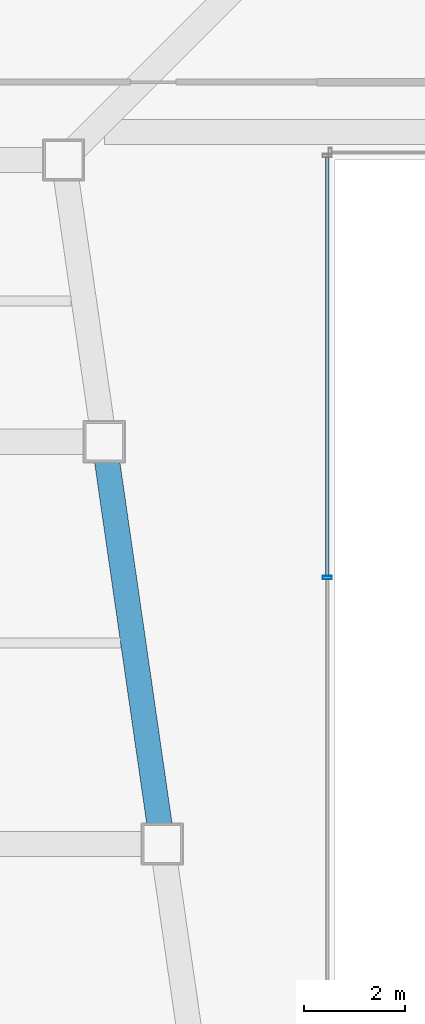
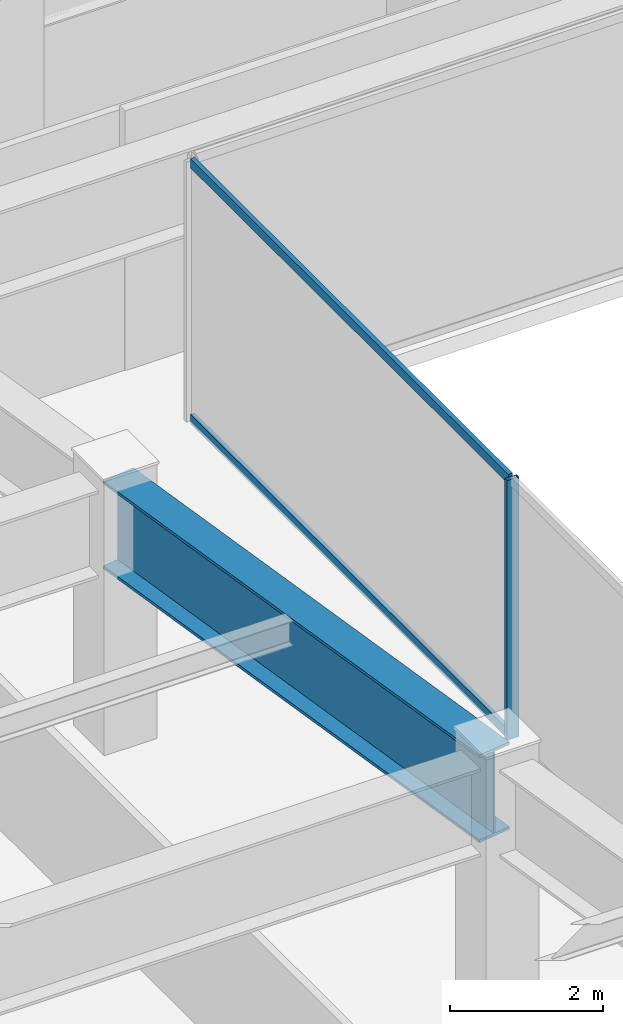
# One storey, part 14 of 40: 3 members, 1 beam, 1 element without a shape of its own.
"""IFC4 building model written with IfcOpenShell, lengths in metres."""

from ifc_helpers import new_model, si_unit, direction, frame, origin, origin_2d, place, context, subcontext, project, spatial, hollow_rectangle, i_section, extrude, material, material_profile, profile_set, type_object, element, aggregate, save


model = new_model("IFC4")

# Units and contexts
model_context = context("Model", 3, precision=1e-05, world=origin(), true_north=direction((0.0, 1.0)))
body_context = subcontext(model_context, "Body", "Model", "MODEL_VIEW")
ifc_project = project(units=[si_unit("LENGTHUNIT", "METRE"), si_unit("AREAUNIT", "SQUARE_METRE"), si_unit("VOLUMEUNIT", "CUBIC_METRE"), si_unit("PLANEANGLEUNIT", "RADIAN"), si_unit("MASSUNIT", "GRAM", prefix="KILO")], contexts=[model_context])

# Site, building, storey
site_placement = place(None, origin())
site = spatial("IfcSite", under=ifc_project, at=site_placement, CompositionType="ELEMENT")
building_placement = place(site_placement, origin())
building = spatial("IfcBuilding", under=site, at=building_placement, Name="Saevonmaru Cultural Tower", CompositionType="ELEMENT")
storey_placement = place(building_placement, frame((0.0, 0.0, 97.199951171875)))
storey = spatial("IfcBuildingStorey", under=building, at=storey_placement, Name="L20", CompositionType="ELEMENT", Elevation=97.199951171875)

# Beam
ifc_material_1 = material(Name="Steel HSA600 (600 MPa)", Category="steel")
ifc_material_profile_1 = material_profile(ifc_material_1, i_section(OverallWidth=0.5, OverallDepth=1.39990234375, WebThickness=0.02392578125, FlangeThickness=0.044921875, at=origin_2d()), Name="PG-1400x500x24x45")
ifc_profile_set_1 = profile_set([ifc_material_profile_1], Name="Steel HSA600 (600 MPa)")
beam_type = type_object("IfcBeamType", Name="BM-TG-PG1400", PredefinedType="BEAM", material=ifc_profile_set_1)
beam_placement = place(storey_placement, frame((20.763427734375, 24.059326171875, 3.449951171875), z_axis=(-0.142902032203, 0.989736838353, 0.0), x_axis=(-0.989736838353, -0.142902032203, 0.0)))
element("IfcBeam", 1, at=beam_placement, inside=storey, type_object=beam_type, Name="L20 West Atrium Girder 4", PredefinedType="BEAM", context=body_context, shape_type="SweptSolid", body=[
    extrude(i_section(OverallWidth=0.5, OverallDepth=1.39990234375, WebThickness=0.02392578125, FlangeThickness=0.044921875, at=origin_2d()), origin(), (0.0, 0.0, 1.0), 7.963134765625),
])

# Curtain wall, members
ifc_material_2 = material(Name="Satin Bronze Anodised Aluminium", Category="aluminium")
curtain_wall_type = type_object("IfcCurtainWallType", Name="CW-ATR-GLZ", PredefinedType="NOTDEFINED", material=ifc_material_2)
curtain_wall_placement = place(storey_placement, origin())
curtain_wall = element("IfcCurtainWall", 2, at=curtain_wall_placement, inside=storey, type_object=curtain_wall_type, Name="L20 Vertical Atrium Glazed Smoke Screen 4", PredefinedType="NOTDEFINED")
ifc_material_profile_2 = material_profile(ifc_material_2, hollow_rectangle(XDim=0.06494140625, YDim=0.179931640625, WallThickness=0.00390625, at=origin_2d()), Name="ALU-MULL-180x65x4")
ifc_profile_set_2 = profile_set([ifc_material_profile_2], Name="Satin Bronze Anodised Aluminium")
member_type_1 = type_object("IfcMemberType", Name="ML-CW-INT-180x65", PredefinedType="MULLION", material=ifc_profile_set_2)
member_1_placement = place(storey_placement, frame((24.050048828125, 29.300048828125, 0.0), z_axis=(0.0, 0.0, 1.0), x_axis=(0.0, -1.0, 0.0)))
member_1 = element("IfcMember", 3, at=member_1_placement, type_object=member_type_1, Name="CW-ATR-L20-4 mullion 2", PredefinedType="MULLION", context=body_context, shape_type="SweptSolid", body=[
    extrude(hollow_rectangle(XDim=0.06494140625, YDim=0.179931640625, WallThickness=0.00390625, at=origin_2d()), origin(), (0.0, 0.0, 1.0), 4.150146484375),
])
ifc_material_profile_3 = material_profile(ifc_material_2, hollow_rectangle(XDim=0.06494140625, YDim=0.14990234375, WallThickness=0.00390625, at=origin_2d()), Name="ALU-TRAN-150x65x4")
ifc_profile_set_3 = profile_set([ifc_material_profile_3], Name="Satin Bronze Anodised Aluminium")
member_type_2 = type_object("IfcMemberType", Name="TR-CW-INT-150x65", PredefinedType="USERDEFINED", material=ifc_profile_set_3)
member_2_placement = place(storey_placement, frame((24.050048828125, 37.657470703125, 0.032470703125), z_axis=(0.0, -1.0, 0.0), x_axis=(1.0, 0.0, 0.0)))
member_2 = element("IfcMember", 4, at=member_2_placement, type_object=member_type_2, Name="CW-ATR-L20-4 transom 1.1", ObjectType="TRANSOM", PredefinedType="USERDEFINED", context=body_context, shape_type="SweptSolid", body=[
    extrude(hollow_rectangle(XDim=0.06494140625, YDim=0.14990234375, WallThickness=0.00390625, at=origin_2d()), origin(), (0.0, 0.0, 1.0), 8.324951171875),
])
member_3_placement = place(storey_placement, frame((24.050048828125, 37.657470703125, 4.117431640625), z_axis=(0.0, -1.0, 0.0), x_axis=(1.0, 0.0, 0.0)))
member_3 = element("IfcMember", 5, at=member_3_placement, type_object=member_type_2, Name="CW-ATR-L20-4 transom 1.2", ObjectType="TRANSOM", PredefinedType="USERDEFINED", context=body_context, shape_type="SweptSolid", body=[
    extrude(hollow_rectangle(XDim=0.06494140625, YDim=0.14990234375, WallThickness=0.00390625, at=origin_2d()), origin(), (0.0, 0.0, 1.0), 8.324951171875),
])
aggregate(curtain_wall, [member_1, member_2, member_3])

save(model, "model.ifc")
